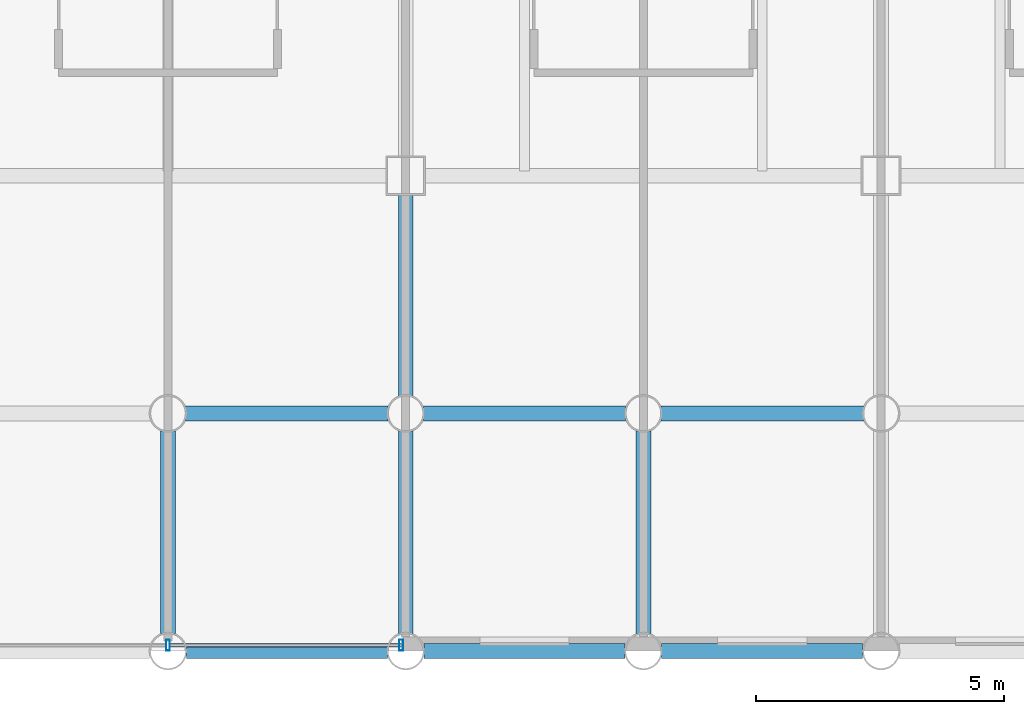
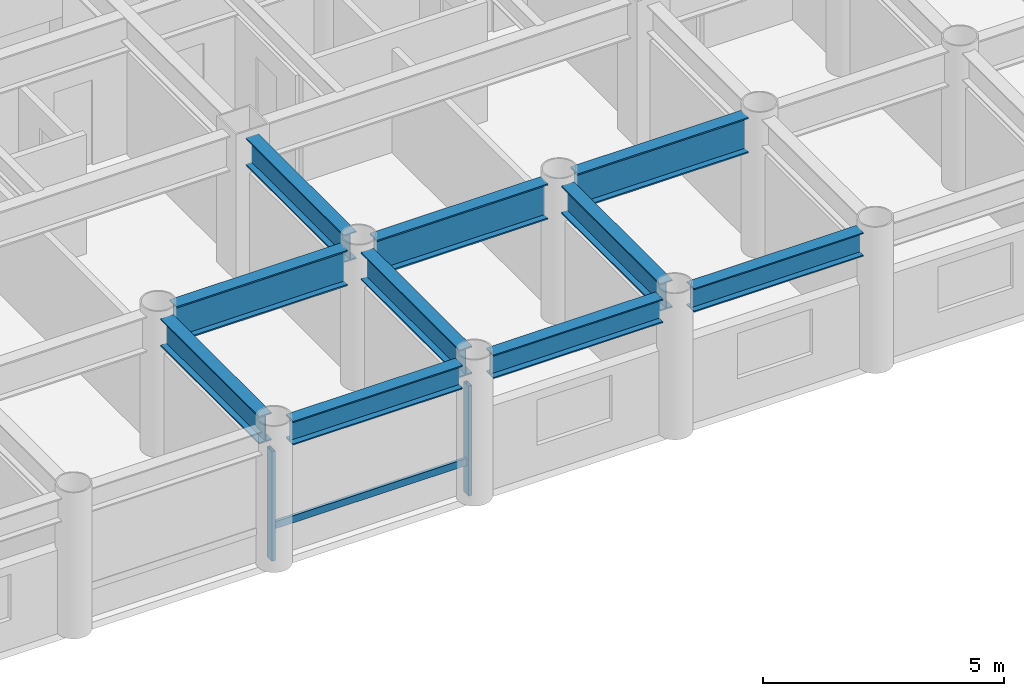
# One storey, part 6 of 22: 10 beams, 3 members, 1 element without a shape of its own.
"""IFC4 building model written with IfcOpenShell, lengths in metres."""

import ifcopenshell
import ifcopenshell.guid

model = None  # the IFC model being written
_history = None  # IfcOwnerHistory: only IFC2X3 demands one
_inside = {}  # id of a spatial element -> (the spatial element, [elements in it])
_under = {}  # id of a project, library or spatial element -> (it, [spatial elements below it])
_declared = {}  # id of a project -> (the project, [libraries it declares])
_typed = {}  # id of a type object -> (the type object, [elements of that type])
_made_of = {}  # id of a material, layer set ... -> (it, [elements and type objects made of it])


def new_model(schema):
    """Start an empty IFC model of exactly this schema.

    Asked for "IFC4X3", IfcOpenShell would pick the latest addendum, in which some entities
    have other attributes; the version numbers below select the first issue.
    IFC2X3 requires an IfcOwnerHistory on every rooted entity: one is made here for all.
    """
    global model, _history
    if schema == "IFC4X3":
        model = ifcopenshell.file(schema_version=(4, 3, 0, 0))
    else:
        model = ifcopenshell.file(schema=schema)
    _inside.clear()
    _under.clear()
    _declared.clear()
    _typed.clear()
    _made_of.clear()
    _history = None
    if model.schema == "IFC2X3":
        org = make("IfcOrganization", Name="unknown")
        user = make(
            "IfcPersonAndOrganization",
            ThePerson=make("IfcPerson", FamilyName="unknown"),
            TheOrganization=org,
        )
        app = make(
            "IfcApplication",
            ApplicationDeveloper=org,
            Version="unknown",
            ApplicationFullName="unknown",
            ApplicationIdentifier="unknown",
        )
        _history = make(
            "IfcOwnerHistory",
            OwningUser=user,
            OwningApplication=app,
            ChangeAction="ADDED",
            CreationDate=0,
        )
    return model


def make(cls, **values):
    """One entity of the class cls with the attributes given. An attribute that is None is left unset."""
    return model.create_entity(
        cls, **{name: value for name, value in values.items() if value is not None}
    )


def rooted(cls, **values):
    """An entity with a GlobalId (a new one), such as an element, a storey or a relation."""
    return make(cls, GlobalId=ifcopenshell.guid.new(), OwnerHistory=_history, **values)


def si_unit(unit_type, name, prefix=None):
    """IfcSIUnit, for example si_unit("LENGTHUNIT", "METRE", prefix="MILLI")."""
    return make("IfcSIUnit", UnitType=unit_type, Prefix=prefix, Name=name)


def assignment(units):
    """IfcUnitAssignment: the units of a project."""
    return None if units is None else make("IfcUnitAssignment", Units=units)


def point(xyz):
    """IfcCartesianPoint."""
    return None if xyz is None else make("IfcCartesianPoint", Coordinates=xyz)


def direction(xyz):
    """IfcDirection."""
    return None if xyz is None else make("IfcDirection", DirectionRatios=xyz)


def frame(location, z_axis=None, x_axis=None):
    """IfcAxis2Placement3D, a coordinate frame: its origin and axes. An axis left out is left unset."""
    return make(
        "IfcAxis2Placement3D",
        Location=point(location),
        Axis=direction(z_axis),
        RefDirection=direction(x_axis),
    )


def frame_2d(location, x_axis=None):
    """IfcAxis2Placement2D, a coordinate frame in the plane: its origin and x axis."""
    return make(
        "IfcAxis2Placement2D", Location=point(location), RefDirection=direction(x_axis)
    )


def origin():
    """The frame at (0, 0, 0) with its axes left unset."""
    return frame((0.0, 0.0, 0.0))


def origin_2d():
    """The frame at (0, 0) in the plane with its x axis left unset."""
    return frame_2d((0.0, 0.0))


def place(relative_to, where):
    """IfcLocalPlacement: puts the frame where relative to a parent placement (None: the world)."""
    return make(
        "IfcLocalPlacement", PlacementRelTo=relative_to, RelativePlacement=where
    )


def context(
    kind, dimensions, precision=None, world=None, true_north=None, identifier=None
):
    """IfcGeometricRepresentationContext, for example the 3D "Model" context."""
    return make(
        "IfcGeometricRepresentationContext",
        ContextIdentifier=identifier,
        ContextType=kind,
        CoordinateSpaceDimension=dimensions,
        Precision=precision,
        WorldCoordinateSystem=world,
        TrueNorth=true_north,
    )


def subcontext(parent, identifier, kind, view, scale=None):
    """IfcGeometricRepresentationSubContext, for example "Body" below "Model"."""
    return make(
        "IfcGeometricRepresentationSubContext",
        ContextIdentifier=identifier,
        ContextType=kind,
        ParentContext=parent,
        TargetScale=scale,
        TargetView=view,
    )


def project(units=None, contexts=None):
    """IfcProject with its units and contexts."""
    return rooted(
        "IfcProject",
        Name="project",
        RepresentationContexts=contexts,
        UnitsInContext=assignment(units),
    )


def spatial(cls, under=None, at=None, **own):
    """A site, building, storey or space (cls), placed at a placement, below another one or the project."""
    s = rooted(cls, ObjectPlacement=at, **own)
    if under is not None:
        _under.setdefault(under.id(), (under, []))[1].append(s)
    return s


def profile(cls, at=None, kind="AREA", **sizes):
    """A parametric profile (cls). Its sizes go by their IFC names, for example OverallWidth=200.0."""
    return make(cls, ProfileType=kind, Position=at, **sizes)


def hollow_rectangle(**sizes):
    """IfcRectangleHollowProfileDef."""
    return profile("IfcRectangleHollowProfileDef", **sizes)


def i_section(**sizes):
    """IfcIShapeProfileDef."""
    return profile("IfcIShapeProfileDef", **sizes)


def extrude(swept, where, along, depth):
    """IfcExtrudedAreaSolid: the profile swept, set in the frame where, extruded along a direction by depth."""
    return make(
        "IfcExtrudedAreaSolid",
        SweptArea=swept,
        Position=where,
        ExtrudedDirection=direction(along),
        Depth=depth,
    )


def shape(context_of_items, identifier, shape_type, items):
    """IfcShapeRepresentation: the items that make up one representation, for example the "Body"."""
    return make(
        "IfcShapeRepresentation",
        ContextOfItems=context_of_items,
        RepresentationIdentifier=identifier,
        RepresentationType=shape_type,
        Items=items,
    )


def material(Name=None, Category=None):
    """IfcMaterial."""
    return make("IfcMaterial", Name=Name, Category=Category)


def layer(
    of_material, thickness, ventilated=None, Name=None, Category=None, Priority=None
):
    """IfcMaterialLayer: one layer of a wall or slab, of a material (None: an air gap)."""
    return make(
        "IfcMaterialLayer",
        Material=of_material,
        LayerThickness=thickness,
        IsVentilated=ventilated,
        Name=Name,
        Category=Category,
        Priority=Priority,
    )


def layer_set(layers, Name=None):
    """IfcMaterialLayerSet."""
    return make("IfcMaterialLayerSet", MaterialLayers=layers, LayerSetName=Name)


def material_profile(
    of_material, cross_section, Name=None, Category=None, Priority=None
):
    """IfcMaterialProfile: a cross section and its material."""
    return make(
        "IfcMaterialProfile",
        Name=Name,
        Material=of_material,
        Profile=cross_section,
        Priority=Priority,
        Category=Category,
    )


def profile_set(profiles, Name=None, composite=None):
    """IfcMaterialProfileSet."""
    return make(
        "IfcMaterialProfileSet",
        Name=Name,
        MaterialProfiles=profiles,
        CompositeProfile=composite,
    )


def made_of(thing, what):
    """Note that an element or type object is made of a material, layer set ...; save() writes the relation."""
    if what is not None:
        _made_of.setdefault(what.id(), (what, []))[1].append(thing)
    return thing


def type_object(cls, material=None, **own):
    """A type object (cls), such as IfcWallType, which elements share."""
    return made_of(rooted(cls, **own), material)


def element(
    cls,
    number,
    at=None,
    inside=None,
    cuts=None,
    type_object=None,
    material=None,
    context=None,
    identifier="Body",
    shape_type=None,
    held_by="IfcProductDefinitionShape",
    body=None,
    shapes=None,
    **own,
):
    """One element of the class cls, such as IfcWall. Its Tag is "e" and its number.

    at: its placement. inside: the storey or other place that contains it. cuts: it is an
    opening in that element (IfcRelVoidsElement). A single representation is given by context,
    identifier, shape_type and body (its items); several are given by shapes. held_by: the class
    of the entity that holds the representations. save() writes the other relations.
    """
    e = rooted(cls, Tag="e%d" % number, ObjectPlacement=at, **own)
    if body is not None:
        shapes = [shape(context, identifier, shape_type, body)]
    if shapes is not None:
        e.Representation = make(held_by, Representations=shapes)
    if inside is not None:
        _inside.setdefault(inside.id(), (inside, []))[1].append(e)
    if cuts is not None:
        rooted(
            "IfcRelVoidsElement", RelatingBuildingElement=cuts, RelatedOpeningElement=e
        )
    if type_object is not None:
        _typed.setdefault(type_object.id(), (type_object, []))[1].append(e)
    return made_of(e, material)


def aggregate(whole, parts):
    """IfcRelAggregates: a whole, such as a stair, and the parts it consists of."""
    return rooted("IfcRelAggregates", RelatingObject=whole, RelatedObjects=parts)


def save(model, path):
    """Write the relations noted so far, then the file.

    IfcRelAggregates (storeys below a building ...), IfcRelContainedInSpatialStructure (elements
    in a storey), IfcRelDefinesByType, IfcRelAssociatesMaterial and IfcRelDeclares: one each for
    every whole, place, type object, material and project.
    """
    for whole, parts in _under.values():
        aggregate(whole, parts)
    for where, things in _inside.values():
        rooted(
            "IfcRelContainedInSpatialStructure",
            RelatedElements=things,
            RelatingStructure=where,
        )
    for kind, things in _typed.values():
        rooted("IfcRelDefinesByType", RelatedObjects=things, RelatingType=kind)
    for what, things in _made_of.values():
        rooted("IfcRelAssociatesMaterial", RelatedObjects=things, RelatingMaterial=what)
    for by, libraries in _declared.values():
        rooted("IfcRelDeclares", RelatingContext=by, RelatedDefinitions=libraries)
    model.write(path)


model = new_model("IFC4")

# Units and contexts
model_context = context("Model", 3, precision=1e-05, world=origin(), true_north=direction((0.0, 1.0)))
body_context = subcontext(model_context, "Body", "Model", "MODEL_VIEW")
ifc_project = project(units=[si_unit("LENGTHUNIT", "METRE"), si_unit("AREAUNIT", "SQUARE_METRE"), si_unit("VOLUMEUNIT", "CUBIC_METRE"), si_unit("PLANEANGLEUNIT", "RADIAN"), si_unit("MASSUNIT", "GRAM", prefix="KILO")], contexts=[model_context])

# Site, building, storey
site_placement = place(None, origin())
site = spatial("IfcSite", under=ifc_project, at=site_placement, CompositionType="ELEMENT")
building_placement = place(site_placement, origin())
building = spatial("IfcBuilding", under=site, at=building_placement, Name="Kallvorn Hotel Tower", CompositionType="ELEMENT")
storey_placement = place(building_placement, frame((0.0, 0.0, 37.39990234375)))
storey = spatial("IfcBuildingStorey", under=building, at=storey_placement, Name="L07", CompositionType="ELEMENT", Elevation=37.39990234375)

# Beams
ifc_material_1 = material(Name="Structural steel S355JR", Category="steel")
ifc_material_profile_1 = material_profile(ifc_material_1, i_section(OverallWidth=0.300048828125, OverallDepth=0.60009765625, WebThickness=0.015380859375, FlangeThickness=0.030029296875, at=origin_2d()), Name="HE 600 B")
ifc_profile_set_1 = profile_set([ifc_material_profile_1], Name="Structural steel S355JR")
beam_type_1 = type_object("IfcBeamType", Name="BM_HE600B", PredefinedType="SPANDREL", material=ifc_profile_set_1)
beam_1_placement = place(storey_placement, frame((0.37109375, -24.0, 3.22021484375), z_axis=(1.0, 0.0, 0.0), x_axis=(0.0, 1.0, 0.0)))
element("IfcBeam", 1, at=beam_1_placement, inside=storey, type_object=beam_type_1, Name="L08 Perimeter Spandrel 157", PredefinedType="SPANDREL", context=body_context, shape_type="SweptSolid", body=[
    extrude(i_section(OverallWidth=0.300048828125, OverallDepth=0.60009765625, WebThickness=0.015380859375, FlangeThickness=0.030029296875, at=origin_2d()), origin(), (0.0, 0.0, 1.0), 4.057861328125),
])
for number, where, z_axis, x_axis, name in (
    (2, (5.1708984375, -24.0, 3.22021484375), (1.0, 0.0, 0.0), (0.0, 1.0, 0.0), "L08 Perimeter Spandrel 158"),
    (3, (9.970947265625, -24.0, 3.22021484375), (1.0, 0.0, 0.0), (0.0, 1.0, 0.0), "L08 Perimeter Spandrel 159"),
):
    element("IfcBeam", number, at=place(storey_placement, frame(where, z_axis=z_axis, x_axis=x_axis)), inside=storey, type_object=beam_type_1, Name=name, PredefinedType="SPANDREL", context=body_context, shape_type="SweptSolid", body=[
        extrude(i_section(OverallWidth=0.300048828125, OverallDepth=0.60009765625, WebThickness=0.015380859375, FlangeThickness=0.030029296875, at=origin_2d()), origin(), (0.0, 0.0, 1.0), 4.05810546875),
    ])
ifc_material_2 = material(Name="Structural steel S355JR", Category="steel")
ifc_material_profile_2 = material_profile(ifc_material_2, i_section(OverallWidth=0.300048828125, OverallDepth=0.699951171875, WebThickness=0.01708984375, FlangeThickness=0.031982421875, at=origin_2d()), Name="HE 700 B")
ifc_profile_set_2 = profile_set([ifc_material_profile_2], Name="Structural steel S355JR")
beam_type_2 = type_object("IfcBeamType", Name="BM_HE700B", PredefinedType="BEAM", material=ifc_profile_set_2)
for number, where, z_axis, x_axis, name in (
    (4, (0.0, -23.64404296875, 3.170166015625), (0.0, 1.0, 0.0), (-1.0, 0.0, 0.0), "L08 Primary Y-Girder 111"),
    (5, (4.800048828125, -23.64404296875, 3.170166015625), (0.0, 1.0, 0.0), (-1.0, 0.0, 0.0), "L08 Primary Y-Girder 114"),
):
    element("IfcBeam", number, at=place(storey_placement, frame(where, z_axis=z_axis, x_axis=x_axis)), inside=storey, type_object=beam_type_2, Name=name, PredefinedType="BEAM", context=body_context, shape_type="SweptSolid", body=[
        extrude(i_section(OverallWidth=0.300048828125, OverallDepth=0.699951171875, WebThickness=0.01708984375, FlangeThickness=0.031982421875, at=origin_2d()), origin(), (0.0, 0.0, 1.0), 4.088134765625),
    ])
beam_2_placement = place(storey_placement, frame((4.800048828125, -18.843994140625, 3.170166015625), z_axis=(0.0, 1.0, 0.0), x_axis=(-1.0, 0.0, 0.0)))
element("IfcBeam", 6, at=beam_2_placement, inside=storey, type_object=beam_type_2, Name="L08 Primary Y-Girder 115", PredefinedType="BEAM", context=body_context, shape_type="SweptSolid", body=[
    extrude(i_section(OverallWidth=0.300048828125, OverallDepth=0.699951171875, WebThickness=0.01708984375, FlangeThickness=0.031982421875, at=origin_2d()), origin(), (0.0, 0.0, 1.0), 4.069091796875),
])
beam_3_placement = place(storey_placement, frame((9.60009765625, -23.64404296875, 3.170166015625), z_axis=(0.0, 1.0, 0.0), x_axis=(-1.0, 0.0, 0.0)))
element("IfcBeam", 7, at=beam_3_placement, inside=storey, type_object=beam_type_2, Name="L08 Primary Y-Girder 119", PredefinedType="BEAM", context=body_context, shape_type="SweptSolid", body=[
    extrude(i_section(OverallWidth=0.300048828125, OverallDepth=0.699951171875, WebThickness=0.01708984375, FlangeThickness=0.031982421875, at=origin_2d()), origin(), (0.0, 0.0, 1.0), 4.088134765625),
])
ifc_material_3 = material(Name="Structural steel S355JR", Category="steel")
ifc_material_profile_3 = material_profile(ifc_material_3, i_section(OverallWidth=0.300048828125, OverallDepth=0.89990234375, WebThickness=0.0185546875, FlangeThickness=0.034912109375, at=origin_2d()), Name="HE 900 B")
ifc_profile_set_3 = profile_set([ifc_material_profile_3], Name="Structural steel S355JR")
beam_type_3 = type_object("IfcBeamType", Name="BM_HE900B", PredefinedType="BEAM", material=ifc_profile_set_3)
beam_4_placement = place(storey_placement, frame((0.35595703125, -19.199951171875, 3.070068359375), z_axis=(1.0, 0.0, 0.0), x_axis=(0.0, 1.0, 0.0)))
element("IfcBeam", 8, at=beam_4_placement, inside=storey, type_object=beam_type_3, Name="L08 Primary X-Girder 08", PredefinedType="BEAM", context=body_context, shape_type="SweptSolid", body=[
    extrude(i_section(OverallWidth=0.300048828125, OverallDepth=0.89990234375, WebThickness=0.0185546875, FlangeThickness=0.034912109375, at=origin_2d()), origin(), (0.0, 0.0, 1.0), 4.088134765625),
])
for number, where, z_axis, x_axis, name in (
    (9, (5.156005859375, -19.199951171875, 3.070068359375), (1.0, 0.0, 0.0), (0.0, 1.0, 0.0), "L08 Primary X-Girder 09"),
    (10, (9.9560546875, -19.199951171875, 3.070068359375), (1.0, 0.0, 0.0), (0.0, 1.0, 0.0), "L08 Primary X-Girder 10"),
):
    element("IfcBeam", number, at=place(storey_placement, frame(where, z_axis=z_axis, x_axis=x_axis)), inside=storey, type_object=beam_type_3, Name=name, PredefinedType="BEAM", context=body_context, shape_type="SweptSolid", body=[
        extrude(i_section(OverallWidth=0.300048828125, OverallDepth=0.89990234375, WebThickness=0.0185546875, FlangeThickness=0.034912109375, at=origin_2d()), origin(), (0.0, 0.0, 1.0), 4.087890625),
    ])

# Curtain wall, members
ifc_material_4 = material(Name="Thermally broken black-anodised aluminium AA 6063-T6", Category="aluminium")
ifc_layer = layer(ifc_material_4, 0.199951171875)
ifc_layer_set = layer_set([ifc_layer], Name="CW_SYS_3_HOTEL_LOW")
curtain_wall_type = type_object("IfcCurtainWallType", Name="CW_SYS_3_HOTEL_LOW", PredefinedType="USERDEFINED", material=ifc_layer_set)
curtain_wall_placement = place(storey_placement, origin())
curtain_wall = element("IfcCurtainWall", 11, at=curtain_wall_placement, inside=storey, type_object=curtain_wall_type, Name="L07 Dark-Glass Curtain Wall CW-L07-SC", ObjectType="UNITISED CURTAIN WALL", PredefinedType="USERDEFINED")
ifc_material_5 = material(Name="Thermally broken black-anodised aluminium AA 6063-T6", Category="aluminium")
ifc_material_profile_4 = material_profile(ifc_material_5, hollow_rectangle(XDim=0.080078125, YDim=0.219970703125, WallThickness=0.0048828125, at=origin_2d()), Name="MUL 220x80")
ifc_profile_set_4 = profile_set([ifc_material_profile_4], Name="Thermally broken black-anodised aluminium AA 6063-T6")
member_type_1 = type_object("IfcMemberType", Name="CW_MULLION_220x80", PredefinedType="MULLION", material=ifc_profile_set_4)
member_1_placement = place(storey_placement, frame((0.0, -23.8798828125, 0.02001953125), z_axis=(0.0, 0.0, 1.0), x_axis=(1.0, 0.0, 0.0)))
member_1 = element("IfcMember", 12, at=member_1_placement, type_object=member_type_1, Name="CW-L07-SC Mullion 01", PredefinedType="MULLION", context=body_context, shape_type="SweptSolid", body=[
    extrude(hollow_rectangle(XDim=0.080078125, YDim=0.219970703125, WallThickness=0.0048828125, at=origin_2d()), origin(), (0.0, 0.0, 1.0), 2.780029296875),
])
member_2_placement = place(storey_placement, frame((4.7099609375, -23.8798828125, 0.02001953125), z_axis=(0.0, 0.0, 1.0), x_axis=(1.0, 0.0, 0.0)))
member_2 = element("IfcMember", 13, at=member_2_placement, type_object=member_type_1, Name="CW-L07-SC Mullion 02", PredefinedType="MULLION", context=body_context, shape_type="SweptSolid", body=[
    extrude(hollow_rectangle(XDim=0.080078125, YDim=0.219970703125, WallThickness=0.0048828125, at=origin_2d()), origin(), (0.0, 0.0, 1.0), 2.780029296875),
])
ifc_material_6 = material(Name="Thermally broken black-anodised aluminium AA 6063-T6", Category="aluminium")
ifc_material_profile_5 = material_profile(ifc_material_6, hollow_rectangle(XDim=0.070068359375, YDim=0.179931640625, WallThickness=0.00390625, at=origin_2d()), Name="TRN 180x70")
ifc_profile_set_5 = profile_set([ifc_material_profile_5], Name="Thermally broken black-anodised aluminium AA 6063-T6")
member_type_2 = type_object("IfcMemberType", Name="CW_TRANSOM_180x70", PredefinedType="USERDEFINED", material=ifc_profile_set_5)
member_3_placement = place(storey_placement, frame((0.0400390625, -23.8798828125, 0.85009765625), z_axis=(1.0, 0.0, 0.0), x_axis=(0.0, 1.0, 0.0)))
member_3 = element("IfcMember", 14, at=member_3_placement, type_object=member_type_2, Name="CW-L07-SC Transom 01M", ObjectType="TRANSOM", PredefinedType="USERDEFINED", context=body_context, shape_type="SweptSolid", body=[
    extrude(hollow_rectangle(XDim=0.070068359375, YDim=0.179931640625, WallThickness=0.00390625, at=origin_2d()), origin(), (0.0, 0.0, 1.0), 4.669921875),
])
aggregate(curtain_wall, [member_1, member_2, member_3])

save(model, "model.ifc")
